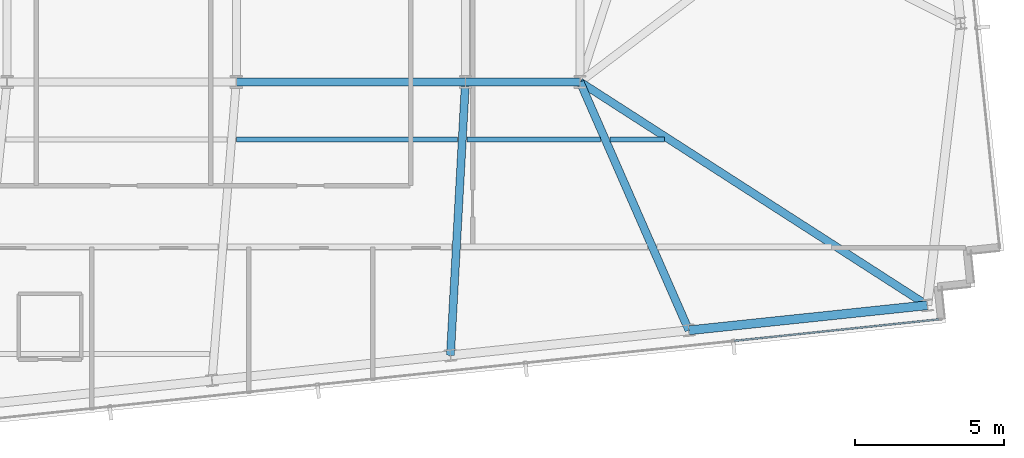
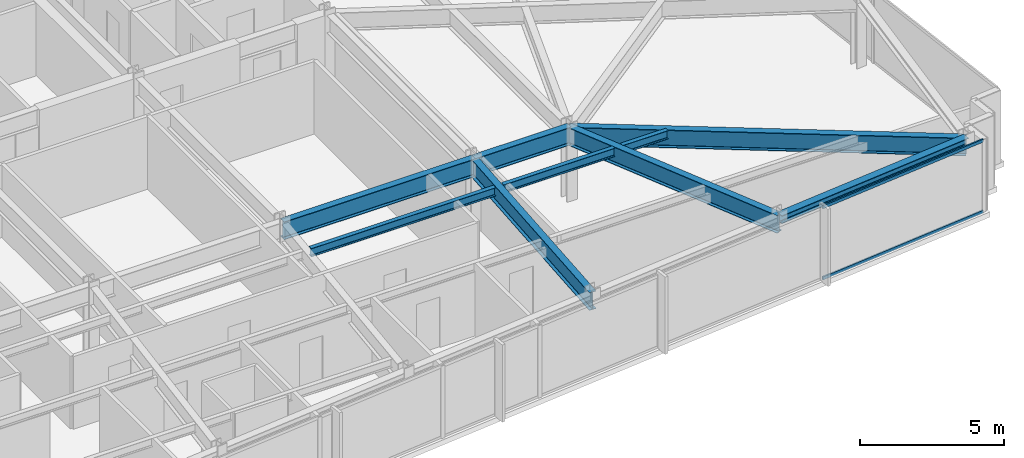
# One storey, part 16 of 32: 9 beams, 2 members, 1 element without a shape of its own.
"""IFC4 building model written with IfcOpenShell, lengths in metres."""

from ifc_helpers import new_model, si_unit, direction, frame, origin, origin_2d, place, context, subcontext, project, spatial, hollow_rectangle, i_section, extrude, material, material_profile, profile_set, type_object, element, aggregate, save


model = new_model("IFC4")

# Units and contexts
model_context = context("Model", 3, precision=1e-05, world=origin(), true_north=direction((0.0, 1.0)))
body_context = subcontext(model_context, "Body", "Model", "MODEL_VIEW")
ifc_project = project(units=[si_unit("LENGTHUNIT", "METRE"), si_unit("AREAUNIT", "SQUARE_METRE"), si_unit("VOLUMEUNIT", "CUBIC_METRE"), si_unit("PLANEANGLEUNIT", "RADIAN"), si_unit("MASSUNIT", "GRAM", prefix="KILO")], contexts=[model_context])

# Site, building, storey
site_placement = place(None, origin())
site = spatial("IfcSite", under=ifc_project, at=site_placement, CompositionType="ELEMENT")
building_placement = place(site_placement, origin())
building = spatial("IfcBuilding", under=site, at=building_placement, Name="Yelkora Congress Tower", CompositionType="ELEMENT")
storey_placement = place(building_placement, frame((0.0, 0.0, 217.699951171875)))
storey = spatial("IfcBuildingStorey", under=building, at=storey_placement, Name="L60", CompositionType="ELEMENT", Elevation=217.699951171875)

# Beams
ifc_material_1 = material(Name="Steel S355J2", Category="steel")
ifc_material_profile_1 = material_profile(ifc_material_1, i_section(OverallWidth=0.26708984375, OverallDepth=0.761962890625, WebThickness=0.014404296875, FlangeThickness=0.021484375, FilletRadius=0.01708984375, at=origin_2d()), Name="IPE 750x173")
ifc_profile_set_1 = profile_set([ifc_material_profile_1], Name="Steel S355J2")
beam_type_1 = type_object("IfcBeamType", Name="BM-GIRD-IPE750", PredefinedType="BEAM", material=ifc_profile_set_1)
beam_1_placement = place(storey_placement, frame((46.080078125, 25.199951171875, 2.698974609375), z_axis=(1.0, 0.0, 0.0), x_axis=(0.0, 1.0, 0.0)))
element("IfcBeam", 1, at=beam_1_placement, inside=storey, type_object=beam_type_1, Name="L60 Spine Grid D Girder 5", PredefinedType="BEAM", context=body_context, shape_type="SweptSolid", body=[
    extrude(i_section(OverallWidth=0.26708984375, OverallDepth=0.761962890625, WebThickness=0.014404296875, FlangeThickness=0.021484375, FilletRadius=0.01708984375, at=origin_2d()), origin(), (0.0, 0.0, 1.0), 7.679931640625),
])
beam_2_placement = place(storey_placement, frame((53.760009765625, 25.199951171875, 2.698974609375), z_axis=(1.0, 0.0, 0.0), x_axis=(0.0, 1.0, 0.0)))
element("IfcBeam", 2, at=beam_2_placement, inside=storey, type_object=beam_type_1, Name="L60 Spine Grid D Girder 6", PredefinedType="BEAM", context=body_context, shape_type="SweptSolid", body=[
    extrude(i_section(OverallWidth=0.26708984375, OverallDepth=0.761962890625, WebThickness=0.014404296875, FlangeThickness=0.021484375, FilletRadius=0.01708984375, at=origin_2d()), origin(), (0.0, 0.0, 1.0), 3.840087890625),
])
beam_3_placement = place(storey_placement, frame((53.25634765625, 16.037353515625, 2.698974609375), z_axis=(0.054886497042, 0.998492600094, 0.0), x_axis=(-0.998492600094, 0.054886497042, 0.0)))
element("IfcBeam", 3, at=beam_3_placement, inside=storey, type_object=beam_type_1, Name="L60 Primary Frame Girder S05", PredefinedType="BEAM", context=body_context, shape_type="SweptSolid", body=[
    extrude(i_section(OverallWidth=0.26708984375, OverallDepth=0.761962890625, WebThickness=0.014404296875, FlangeThickness=0.021484375, FilletRadius=0.01708984375, at=origin_2d()), origin(), (0.0, 0.0, 1.0), 9.176513671875),
])
beam_4_placement = place(storey_placement, frame((61.24560546875, 16.877197265625, 2.698974609375), z_axis=(-0.401216289608, 0.915983345347, 0.0), x_axis=(-0.915983345347, -0.401216289608, 0.0)))
element("IfcBeam", 4, at=beam_4_placement, inside=storey, type_object=beam_type_1, Name="L60 Primary Frame Girder S06", PredefinedType="BEAM", context=body_context, shape_type="SweptSolid", body=[
    extrude(i_section(OverallWidth=0.26708984375, OverallDepth=0.761962890625, WebThickness=0.014404296875, FlangeThickness=0.021484375, FilletRadius=0.01708984375, at=origin_2d()), origin(), (0.0, 0.0, 1.0), 9.086181640625),
])
beam_5_placement = place(storey_placement, frame((69.235107421875, 17.716796875, 2.698974609375), z_axis=(-0.841063201017, 0.54093686498, 0.0), x_axis=(-0.54093686498, -0.841063201017, 0.0)))
element("IfcBeam", 5, at=beam_5_placement, inside=storey, type_object=beam_type_1, Name="L60 Primary Frame Girder S07", PredefinedType="BEAM", context=body_context, shape_type="SweptSolid", body=[
    extrude(i_section(OverallWidth=0.26708984375, OverallDepth=0.761962890625, WebThickness=0.014404296875, FlangeThickness=0.021484375, FilletRadius=0.01708984375, at=origin_2d()), origin(), (0.0, 0.0, 1.0), 13.833740234375),
])
ifc_material_profile_2 = material_profile(ifc_material_1, i_section(OverallWidth=0.169921875, OverallDepth=0.360107421875, WebThickness=0.008056640625, FlangeThickness=0.0126953125, FilletRadius=0.01806640625, at=origin_2d()), Name="IPE 360")
ifc_profile_set_2 = profile_set([ifc_material_profile_2], Name="Steel S355J2")
beam_type_2 = type_object("IfcBeamType", Name="BM-JOIST-IPE360", PredefinedType="JOIST", material=ifc_profile_set_2)
beam_6_placement = place(storey_placement, frame((46.083740234375, 23.278564453125, 2.900146484375), z_axis=(1.0, 0.0, 0.0), x_axis=(0.0, 1.0, 0.0)))
element("IfcBeam", 6, at=beam_6_placement, inside=storey, type_object=beam_type_2, Name="L60 Composite Floor Joist 12", PredefinedType="JOIST", context=body_context, shape_type="SweptSolid", body=[
    extrude(i_section(OverallWidth=0.169921875, OverallDepth=0.360107421875, WebThickness=0.008056640625, FlangeThickness=0.0126953125, FilletRadius=0.01806640625, at=origin_2d()), origin(), (0.0, 0.0, 1.0), 7.41064453125),
])
beam_7_placement = place(storey_placement, frame((53.814453125, 23.278564453125, 2.900146484375), z_axis=(1.0, 0.0, 0.0), x_axis=(0.0, 1.0, 0.0)))
element("IfcBeam", 7, at=beam_7_placement, inside=storey, type_object=beam_type_2, Name="L60 Composite Floor Joist 13", PredefinedType="JOIST", context=body_context, shape_type="SweptSolid", body=[
    extrude(i_section(OverallWidth=0.169921875, OverallDepth=0.360107421875, WebThickness=0.008056640625, FlangeThickness=0.0126953125, FilletRadius=0.01806640625, at=origin_2d()), origin(), (0.0, 0.0, 1.0), 4.46728515625),
])
beam_8_placement = place(storey_placement, frame((58.601806640625, 23.278564453125, 2.900146484375), z_axis=(1.0, 0.0, 0.0), x_axis=(0.0, 1.0, 0.0)))
element("IfcBeam", 8, at=beam_8_placement, inside=storey, type_object=beam_type_2, Name="L60 Composite Floor Joist 14", PredefinedType="JOIST", context=body_context, shape_type="SweptSolid", body=[
    extrude(i_section(OverallWidth=0.169921875, OverallDepth=0.360107421875, WebThickness=0.008056640625, FlangeThickness=0.0126953125, FilletRadius=0.01806640625, at=origin_2d()), origin(), (0.0, 0.0, 1.0), 1.82568359375),
])
ifc_material_profile_3 = material_profile(ifc_material_1, i_section(OverallWidth=0.300048828125, OverallDepth=0.340087890625, WebThickness=0.011962890625, FlangeThickness=0.021484375, FilletRadius=0.027099609375, at=origin_2d()), Name="HEB 340")
ifc_profile_set_3 = profile_set([ifc_material_profile_3], Name="Steel S355J2")
beam_type_3 = type_object("IfcBeamType", Name="BM-SPAN-HEB340", PredefinedType="SPANDREL", material=ifc_profile_set_3)
beam_9_placement = place(storey_placement, frame((61.24560546875, 16.877197265625, 2.91015625), z_axis=(0.99452358891, 0.104512349038, 0.0), x_axis=(-0.104512349038, 0.99452358891, 0.0)))
element("IfcBeam", 9, at=beam_9_placement, inside=storey, type_object=beam_type_3, Name="L60 Perimeter Beam 8", PredefinedType="SPANDREL", context=body_context, shape_type="SweptSolid", body=[
    extrude(i_section(OverallWidth=0.300048828125, OverallDepth=0.340087890625, WebThickness=0.011962890625, FlangeThickness=0.021484375, FilletRadius=0.027099609375, at=origin_2d()), origin(), (0.0, 0.0, 1.0), 8.033447265625),
])

# Curtain wall, members
ifc_material_2 = material(Name="Anodised aluminium and insulated glass", Category="aluminium")
curtain_wall_type = type_object("IfcCurtainWallType", Name="CW-SYS-B4", PredefinedType="NOTDEFINED", material=ifc_material_2)
curtain_wall_placement = place(storey_placement, origin())
curtain_wall = element("IfcCurtainWall", 10, at=curtain_wall_placement, inside=storey, type_object=curtain_wall_type, Name="L60 Unitised Curtain Wall 20", PredefinedType="NOTDEFINED")
ifc_material_3 = material(Name="Anodised aluminium 6063-T6", Category="aluminium")
ifc_material_profile_4 = material_profile(ifc_material_3, hollow_rectangle(XDim=0.06005859375, YDim=0.1298828125, WallThickness=0.00390625, at=origin_2d()), Name="ALU 60x130x4")
ifc_profile_set_4 = profile_set([ifc_material_profile_4], Name="Anodised aluminium 6063-T6")
member_type = type_object("IfcMemberType", Name="MEM-TR-B4", PredefinedType="USERDEFINED", material=ifc_profile_set_4)
member_1_placement = place(storey_placement, frame((69.63134765625, 17.24560546875, 0.030029296875), z_axis=(-0.994523648539, -0.104511781616, 0.0), x_axis=(0.104511781616, -0.994523648539, 0.0)))
member_1 = element("IfcMember", 11, at=member_1_placement, type_object=member_type, Name="CW-B4 transom 1.1", ObjectType="TRANSOM", PredefinedType="USERDEFINED", context=body_context, shape_type="SweptSolid", body=[
    extrude(hollow_rectangle(XDim=0.06005859375, YDim=0.1298828125, WallThickness=0.00390625, at=origin_2d()), origin(), (0.0, 0.0, 1.0), 6.9052734375),
])
member_2_placement = place(storey_placement, frame((69.63134765625, 17.24560546875, 3.050048828125), z_axis=(-0.994523648539, -0.104511781616, 0.0), x_axis=(0.104511781616, -0.994523648539, 0.0)))
member_2 = element("IfcMember", 12, at=member_2_placement, type_object=member_type, Name="CW-B4 transom 1.2", ObjectType="TRANSOM", PredefinedType="USERDEFINED", context=body_context, shape_type="SweptSolid", body=[
    extrude(hollow_rectangle(XDim=0.06005859375, YDim=0.1298828125, WallThickness=0.00390625, at=origin_2d()), origin(), (0.0, 0.0, 1.0), 6.9052734375),
])
aggregate(curtain_wall, [member_1, member_2])

save(model, "model.ifc")
